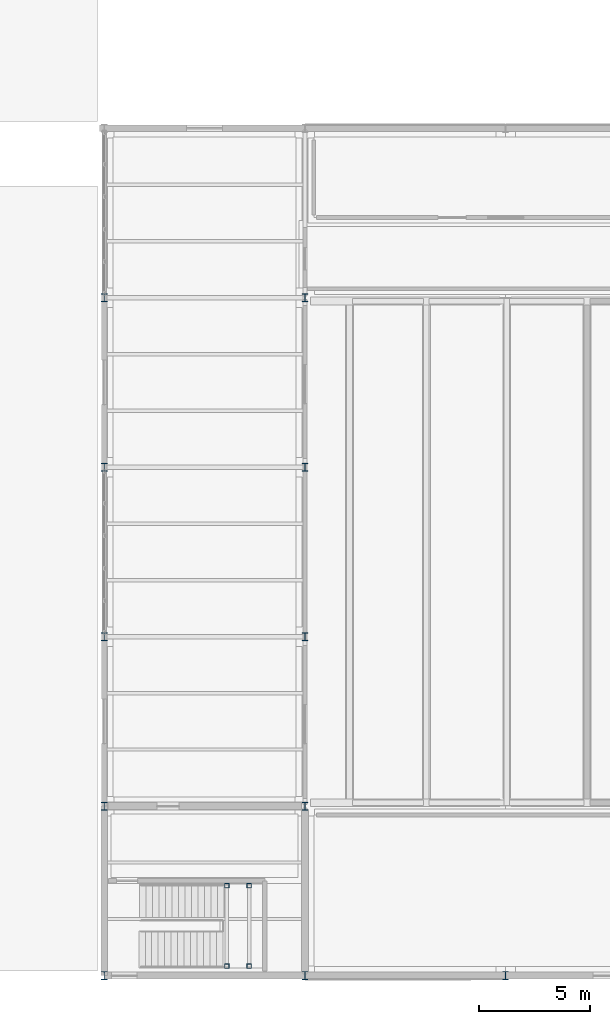
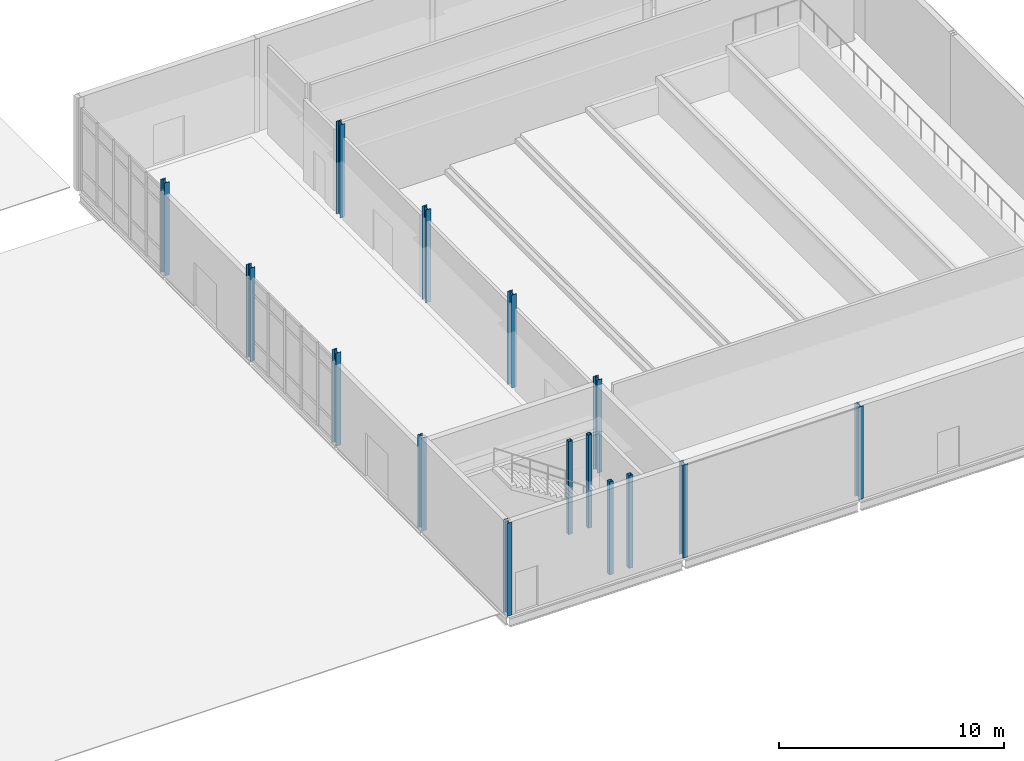
# One storey, part 25 of 161: 15 columns.
"""IFC4 building model written with IfcOpenShell, lengths in metres."""

from ifc_helpers import new_model, si_unit, direction, frame, origin, origin_2d, place, context, subcontext, project, spatial, hollow_rectangle, i_section, extrude, material, material_profile, profile_set, type_object, element, save


model = new_model("IFC4")

# Units and contexts
model_context = context("Model", 3, precision=1e-05, world=origin(), true_north=direction((0.0, 1.0)))
body_context = subcontext(model_context, "Body", "Model", "MODEL_VIEW")
ifc_project = project(units=[si_unit("LENGTHUNIT", "METRE"), si_unit("AREAUNIT", "SQUARE_METRE"), si_unit("VOLUMEUNIT", "CUBIC_METRE"), si_unit("PLANEANGLEUNIT", "RADIAN"), si_unit("MASSUNIT", "GRAM", prefix="KILO")], contexts=[model_context])

# Site, building, storey
site_placement = place(None, origin())
site = spatial("IfcSite", under=ifc_project, at=site_placement, CompositionType="ELEMENT")
building_placement = place(site_placement, origin())
building = spatial("IfcBuilding", under=site, at=building_placement, Name="Caisbarro Railhouse Central Library", CompositionType="ELEMENT")
storey_placement = place(building_placement, origin())
storey = spatial("IfcBuildingStorey", under=building, at=storey_placement, Name="L00", CompositionType="ELEMENT", Elevation=0.0)

# Columns
ifc_material = material(Name="Steel ASTM A572 Grade 50", Category="steel")
ifc_material_profile_1 = material_profile(ifc_material, i_section(OverallWidth=0.25390625, OverallDepth=0.35302734375, WebThickness=0.009521484375, FlangeThickness=0.016357421875, FilletRadius=0.014892578125, at=origin_2d()), Name="W360X91.0")
ifc_profile_set_1 = profile_set([ifc_material_profile_1], Name="Steel ASTM A572 Grade 50")
column_type_1 = type_object("IfcColumnType", Name="COL-C05", PredefinedType="COLUMN", material=ifc_profile_set_1)
for number, where, z_axis, x_axis, name in (
    (1, (144.0, 0.0, 0.0), (0.0, 0.0, 1.0), (1.0, 0.0, 0.0), "C05 column L00 (144.0,0.0)"),
    (2, (144.0, 7.60009765625, 0.0), (0.0, 0.0, 1.0), (1.0, 0.0, 0.0), "C05 column L00 (144.0,7.6)"),
    (3, (144.0, 15.199951171875, 0.0), (0.0, 0.0, 1.0), (1.0, 0.0, 0.0), "C05 column L00 (144.0,15.2)"),
    (4, (144.0, 22.800048828125, 0.0), (0.0, 0.0, 1.0), (1.0, 0.0, 0.0), "C05 column L00 (144.0,22.8)"),
    (5, (144.0, 30.39990234375, 0.0), (0.0, 0.0, 1.0), (1.0, 0.0, 0.0), "C05 column L00 (144.0,30.4)"),
    (6, (153.0, 0.0, 0.0), (0.0, 0.0, 1.0), (1.0, 0.0, 0.0), "C05 column L00 (153.0,0.0)"),
    (7, (153.0, 7.60009765625, 0.0), (0.0, 0.0, 1.0), (1.0, 0.0, 0.0), "C05 column L00 (153.0,7.6)"),
    (8, (153.0, 15.199951171875, 0.0), (0.0, 0.0, 1.0), (1.0, 0.0, 0.0), "C05 column L00 (153.0,15.2)"),
    (9, (153.0, 22.800048828125, 0.0), (0.0, 0.0, 1.0), (1.0, 0.0, 0.0), "C05 column L00 (153.0,22.8)"),
    (10, (153.0, 30.39990234375, 0.0), (0.0, 0.0, 1.0), (1.0, 0.0, 0.0), "C05 column L00 (153.0,30.4)"),
    (11, (162.0, 0.0, 0.0), (0.0, 0.0, 1.0), (1.0, 0.0, 0.0), "C05 column L00 (162.0,0.0)"),
):
    element("IfcColumn", number, at=place(storey_placement, frame(where, z_axis=z_axis, x_axis=x_axis)), inside=storey, type_object=column_type_1, Name=name, PredefinedType="COLUMN", context=body_context, shape_type="SweptSolid", body=[
        extrude(i_section(OverallWidth=0.25390625, OverallDepth=0.35302734375, WebThickness=0.009521484375, FlangeThickness=0.016357421875, FilletRadius=0.014892578125, at=origin_2d()), origin(), (0.0, 0.0, 1.0), 5.0400390625),
    ])
ifc_material_profile_2 = material_profile(ifc_material, hollow_rectangle(XDim=0.199951171875, YDim=0.199951171875, WallThickness=0.012451171875, at=origin_2d()), Name="HSS200X200X12.5")
ifc_profile_set_2 = profile_set([ifc_material_profile_2], Name="Steel ASTM A572 Grade 50")
column_type_2 = type_object("IfcColumnType", Name="COL-C10", PredefinedType="COLUMN", material=ifc_profile_set_2)
for number, where, z_axis, x_axis, name in (
    (12, (149.5, 0.419921875, 0.0), (0.0, 0.0, 1.0), (1.0, 0.0, 0.0), "C10 Stair Landing Post K9 L00.1"),
    (13, (149.5, 4.030029296875, 0.0), (0.0, 0.0, 1.0), (1.0, 0.0, 0.0), "C10 Stair Landing Post K9 L00.2"),
    (14, (150.5, 0.419921875, 0.0), (0.0, 0.0, 1.0), (1.0, 0.0, 0.0), "C10 Stair Landing Post K9 L00.3"),
    (15, (150.5, 4.030029296875, 0.0), (0.0, 0.0, 1.0), (1.0, 0.0, 0.0), "C10 Stair Landing Post K9 L00.4"),
):
    element("IfcColumn", number, at=place(storey_placement, frame(where, z_axis=z_axis, x_axis=x_axis)), inside=storey, type_object=column_type_2, Name=name, PredefinedType="COLUMN", context=body_context, shape_type="SweptSolid", body=[
        extrude(hollow_rectangle(XDim=0.199951171875, YDim=0.199951171875, WallThickness=0.012451171875, at=origin_2d()), origin(), (0.0, 0.0, 1.0), 5.0400390625),
    ])

save(model, "model.ifc")
